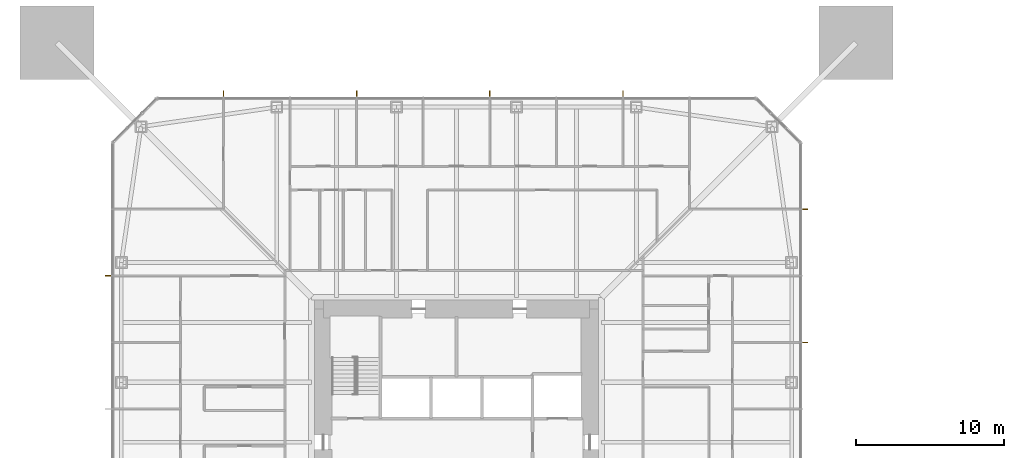
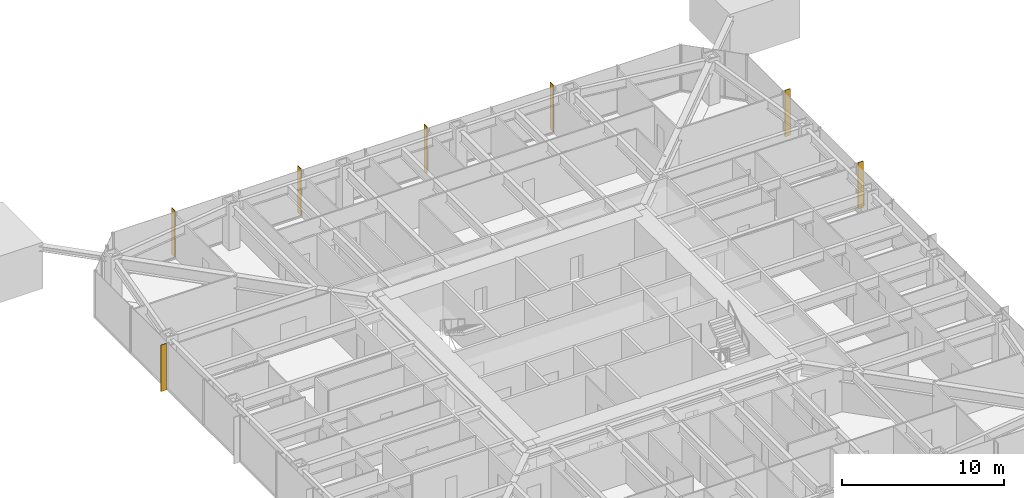
# One storey, part 25 of 26: 7 shading devices.
"""IFC4 building model written with IfcOpenShell, lengths in metres."""

from ifc_helpers import new_model, si_unit, direction, frame, origin, origin_2d, place, context, subcontext, project, spatial, rectangle, extrude, material, layer, layer_set, type_object, element, save


model = new_model("IFC4")

# Units and contexts
model_context = context("Model", 3, precision=1e-05, world=origin(), true_north=direction((0.0, 1.0)))
body_context = subcontext(model_context, "Body", "Model", "MODEL_VIEW")
ifc_project = project(units=[si_unit("LENGTHUNIT", "METRE"), si_unit("AREAUNIT", "SQUARE_METRE"), si_unit("VOLUMEUNIT", "CUBIC_METRE"), si_unit("PLANEANGLEUNIT", "RADIAN"), si_unit("MASSUNIT", "GRAM", prefix="KILO")], contexts=[model_context])

# Site, building, storey
site_placement = place(None, origin())
site = spatial("IfcSite", under=ifc_project, at=site_placement, CompositionType="ELEMENT")
building_placement = place(site_placement, origin())
building = spatial("IfcBuilding", under=site, at=building_placement, Name="Iwan Alto Co-Living Towers", CompositionType="ELEMENT")
storey_placement = place(building_placement, frame((0.0, 0.0, 67.5)))
storey = spatial("IfcBuildingStorey", under=building, at=storey_placement, Name="L18", CompositionType="ELEMENT", Elevation=67.5)

# Shading devices
ifc_material = material(Name="Aluminium 6063-T6 bronze anodised", Category="aluminium")
ifc_layer = layer(ifc_material, 0.050048828125)
ifc_layer_set = layer_set([ifc_layer], Name="BRONZE FIN 50X400")
shading_device_type = type_object("IfcShadingDeviceType", Name="BRONZE FIN 50X400", PredefinedType="USERDEFINED", material=ifc_layer_set)
for number, where, z_axis, x_axis, name in (
    (1, (23.550048828125, 6.75, 0.0), (0.0, 0.0, 1.0), (0.0, 1.0, 0.0), "Bronze fin L18"),
    (2, (23.550048828125, 15.75, 0.0), (0.0, 0.0, 1.0), (0.0, 1.0, 0.0), "Bronze fin L18"),
    (3, (11.25, 23.550048828125, 0.0), (0.0, 0.0, 1.0), (-1.0, 0.0, 0.0), "Bronze fin L18"),
    (4, (2.25, 23.550048828125, 0.0), (0.0, 0.0, 1.0), (-1.0, 0.0, 0.0), "Bronze fin L18"),
    (5, (-6.75, 23.550048828125, 0.0), (0.0, 0.0, 1.0), (-1.0, 0.0, 0.0), "Bronze fin L18"),
    (6, (-15.75, 23.550048828125, 0.0), (0.0, 0.0, 1.0), (-1.0, 0.0, 0.0), "Bronze fin L18"),
    (7, (-23.550048828125, 11.25, 0.0), (0.0, 0.0, 1.0), (0.0, -1.0, 0.0), "Bronze fin L18"),
):
    element("IfcShadingDevice", number, at=place(storey_placement, frame(where, z_axis=z_axis, x_axis=x_axis)), inside=storey, type_object=shading_device_type, Name=name, ObjectType="LOUVER", PredefinedType="USERDEFINED", context=body_context, shape_type="SweptSolid", body=[
        extrude(rectangle(XDim=0.050048828125, YDim=0.39990234375, at=origin_2d()), origin(), (0.0, 0.0, 1.0), 3.5),
    ])

save(model, "model.ifc")
